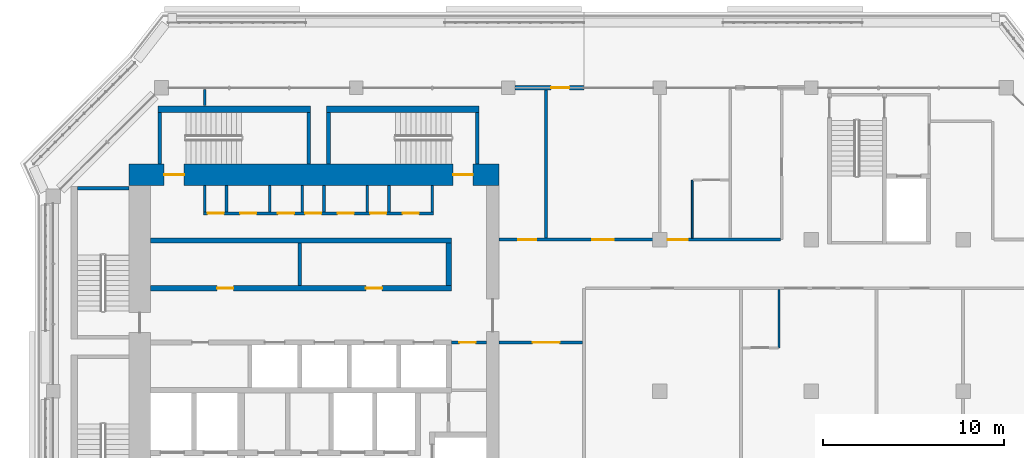
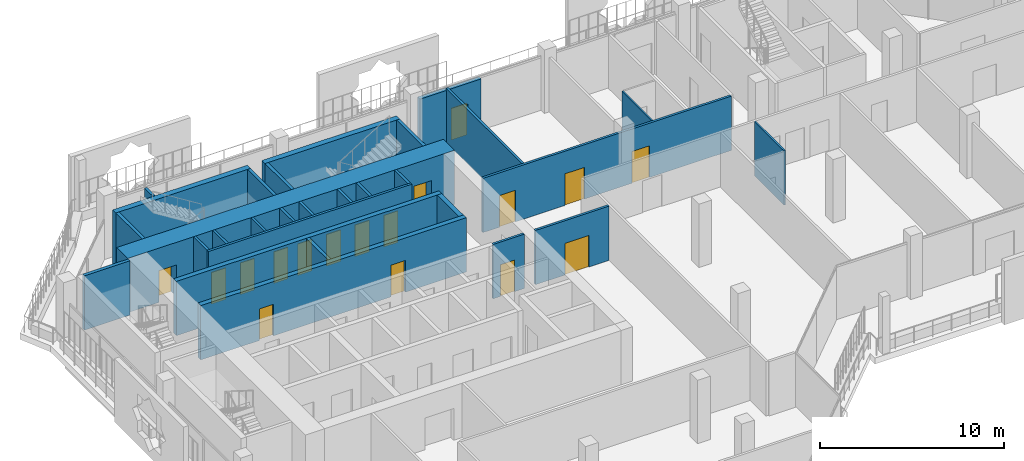
# One storey, part 12 of 21: 29 walls, 17 doors, 17 openings.
"""IFC4 building model written with IfcOpenShell, lengths in metres."""

from ifc_helpers import new_model, si_unit, direction, frame, frame_2d, origin, place, context, subcontext, project, spatial, rectangle, extrude, material, layer, layer_set, type_object, element, fill, save


model = new_model("IFC4")

# Units and contexts
model_context = context("Model", 3, precision=1e-05, world=origin(), true_north=direction((0.0, 1.0)))
body_context = subcontext(model_context, "Body", "Model", "MODEL_VIEW")
ifc_project = project(units=[si_unit("LENGTHUNIT", "METRE"), si_unit("AREAUNIT", "SQUARE_METRE"), si_unit("VOLUMEUNIT", "CUBIC_METRE"), si_unit("PLANEANGLEUNIT", "RADIAN"), si_unit("MASSUNIT", "GRAM", prefix="KILO")], contexts=[model_context])

# Site, building, storey
site_placement = place(None, origin())
site = spatial("IfcSite", under=ifc_project, at=site_placement, CompositionType="ELEMENT")
building_placement = place(site_placement, origin())
building = spatial("IfcBuilding", under=site, at=building_placement, Name="Kawkab Arch Medical Tower", CompositionType="ELEMENT")
storey_placement = place(building_placement, frame((0.0, 0.0, 302.800048828125)))
storey = spatial("IfcBuildingStorey", under=building, at=storey_placement, Name="L70", CompositionType="ELEMENT", Elevation=302.800048828125)

# Wall, openings, doors
ifc_material_1 = material(Name="Concrete C50/60", Category="concrete")
ifc_layer_1 = layer(ifc_material_1, 1.199951171875)
ifc_layer_set_1 = layer_set([ifc_layer_1], Name="Concrete C50/60")
wall_type_1 = type_object("IfcWallType", Name="Core ring wall 1200 C50/60", PredefinedType="SHEAR", material=ifc_layer_set_1)
wall_1_placement = place(storey_placement, frame((4.199951171875, -4.800048828125, 0.0), z_axis=(0.0, 0.0, 1.0), x_axis=(1.0, 0.0, 0.0)))
wall_1 = element("IfcWall", 1, at=wall_1_placement, inside=storey, type_object=wall_type_1, Name="L70 core wall", PredefinedType="SHEAR", context=body_context, shape_type="SweptSolid", body=[
    extrude(rectangle(XDim=20.5, YDim=1.199951171875, at=frame_2d((10.25, 0.0))), origin(), (0.0, 0.0, 1.0), 3.599853515625),
])
opening_1_placement = place(wall_1_placement, frame((1.949951171875, 0.0, 0.0)))
opening_1 = element("IfcOpeningElement", 2, at=opening_1_placement, cuts=wall_1, Name="Opening SD", PredefinedType="OPENING", context=body_context, shape_type="SweptSolid", body=[
    extrude(rectangle(XDim=1.10009765625, YDim=2.10009765625, at=frame_2d((0.550048828125, 1.050048828125))), frame((0.0, 0.60986328125, 0.0), z_axis=(0.0, -1.0, 0.0), x_axis=(1.0, 0.0, 0.0)), (0.0, 0.0, 1.0), 1.219970703125),
])
opening_2_placement = place(wall_1_placement, frame((17.949951171875, 0.0, 0.0)))
opening_2 = element("IfcOpeningElement", 3, at=opening_2_placement, cuts=wall_1, Name="Opening SD", PredefinedType="OPENING", context=body_context, shape_type="SweptSolid", body=[
    extrude(rectangle(XDim=1.10009765625, YDim=2.10009765625, at=frame_2d((0.550048828125, 1.050048828125))), frame((0.0, 0.60986328125, 0.0), z_axis=(0.0, -1.0, 0.0), x_axis=(1.0, 0.0, 0.0)), (0.0, 0.0, 1.0), 1.219970703125),
])
ifc_material_2 = material(Name="Hollow metal fire door leaf")
door_type_1 = type_object("IfcDoorType", Name="Exit stair door 1100", OperationType="SINGLE_SWING_LEFT", PredefinedType="DOOR", material=ifc_material_2)
door_1_placement = place(opening_1_placement, origin())
door_1 = element("IfcDoor", 4, at=door_1_placement, inside=storey, type_object=door_type_1, Name="L70 Exit stair ST3 door", OperationType="SINGLE_SWING_LEFT", OverallHeight=2.10009765625, OverallWidth=1.10009765625, PredefinedType="DOOR", context=body_context, shape_type="SweptSolid", body=[
    extrude(rectangle(XDim=1.10009765625, YDim=2.10009765625, at=frame_2d((0.550048828125, 1.050048828125))), frame((0.0, 0.02490234375, 0.0), z_axis=(0.0, -1.0, 0.0), x_axis=(1.0, 0.0, 0.0)), (0.0, 0.0, 1.0), 0.050048828125),
])
fill(opening_1, door_1)
door_2_placement = place(opening_2_placement, origin())
door_2 = element("IfcDoor", 5, at=door_2_placement, inside=storey, type_object=door_type_1, Name="L70 Exit stair ST4 door", OperationType="SINGLE_SWING_LEFT", OverallHeight=2.10009765625, OverallWidth=1.10009765625, PredefinedType="DOOR", context=body_context, shape_type="SweptSolid", body=[
    extrude(rectangle(XDim=1.10009765625, YDim=2.10009765625, at=frame_2d((0.550048828125, 1.050048828125))), frame((0.0, 0.02490234375, 0.0), z_axis=(0.0, -1.0, 0.0), x_axis=(1.0, 0.0, 0.0)), (0.0, 0.0, 1.0), 0.050048828125),
])
fill(opening_2, door_2)

# Wall, opening, door
ifc_material_3 = material(Name="Gypsum board on steel studs", Category="steel")
ifc_layer_2 = layer(ifc_material_3, 0.14990234375)
ifc_layer_set_2 = layer_set([ifc_layer_2], Name="Gypsum board on steel studs")
wall_type_2 = type_object("IfcWallType", Name="Core room partition 150", PredefinedType="PARTITIONING", material=ifc_layer_set_2)
wall_2_placement = place(storey_placement, frame((22.050048828125, -14.10009765625, 0.0), z_axis=(0.0, 0.0, 1.0), x_axis=(1.0, 0.0, 0.0)))
wall_2 = element("IfcWall", 6, at=wall_2_placement, inside=storey, type_object=wall_type_2, Name="L70 core room partition", PredefinedType="PARTITIONING", context=body_context, shape_type="SweptSolid", body=[
    extrude(rectangle(XDim=1.949951171875, YDim=0.14990234375, at=frame_2d((0.97509765625, 0.0))), origin(), (0.0, 0.0, 1.0), 3.599853515625),
])
opening_3_placement = place(wall_2_placement, frame((0.449951171875, 0.0, 0.0)))
opening_3 = element("IfcOpeningElement", 7, at=opening_3_placement, cuts=wall_2, Name="Opening RD", PredefinedType="OPENING", context=body_context, shape_type="SweptSolid", body=[
    extrude(rectangle(XDim=0.89990234375, YDim=2.10009765625, at=frame_2d((0.449951171875, 1.050048828125))), frame((0.0, 0.0849609375, 0.0), z_axis=(0.0, -1.0, 0.0), x_axis=(1.0, 0.0, 0.0)), (0.0, 0.0, 1.0), 0.169921875),
])
ifc_material_4 = material(Name="Hollow metal fire door leaf")
door_type_2 = type_object("IfcDoorType", Name="Core room door 900", OperationType="SINGLE_SWING_LEFT", PredefinedType="DOOR", material=ifc_material_4)
door_3_placement = place(opening_3_placement, origin())
door_3 = element("IfcDoor", 8, at=door_3_placement, inside=storey, type_object=door_type_2, Name="L70 Linen store door", OperationType="SINGLE_SWING_LEFT", OverallHeight=2.10009765625, OverallWidth=0.89990234375, PredefinedType="DOOR", context=body_context, shape_type="SweptSolid", body=[
    extrude(rectangle(XDim=0.89990234375, YDim=2.10009765625, at=frame_2d((0.449951171875, 1.050048828125))), frame((0.0, 0.02490234375, 0.0), z_axis=(0.0, -1.0, 0.0), x_axis=(1.0, 0.0, 0.0)), (0.0, 0.0, 1.0), 0.050048828125),
])
fill(opening_3, door_3)

# Wall, openings, doors
wall_3_placement = place(storey_placement, frame((8.324951171875, -6.949951171875, 0.0), z_axis=(0.0, 0.0, 1.0), x_axis=(1.0, 0.0, 0.0)))
wall_3 = element("IfcWall", 9, at=wall_3_placement, inside=storey, type_object=wall_type_2, Name="L70 core room partition", PredefinedType="PARTITIONING", context=body_context, shape_type="SweptSolid", body=[
    extrude(rectangle(XDim=12.75, YDim=0.14990234375, at=frame_2d((6.375, 0.0))), origin(), (0.0, 0.0, 1.0), 3.599853515625),
])
opening_4_placement = place(wall_3_placement, frame((0.22509765625, 0.0, 0.0)))
opening_4 = element("IfcOpeningElement", 10, at=opening_4_placement, cuts=wall_3, Name="Opening RD", PredefinedType="OPENING", context=body_context, shape_type="SweptSolid", body=[
    extrude(rectangle(XDim=0.89990234375, YDim=2.10009765625, at=frame_2d((0.449951171875, 1.050048828125))), frame((0.0, 0.0849609375, 0.0), z_axis=(0.0, -1.0, 0.0), x_axis=(1.0, 0.0, 0.0)), (0.0, 0.0, 1.0), 0.169921875),
])
opening_5_placement = place(wall_3_placement, frame((2.02490234375, 0.0, 0.0)))
opening_5 = element("IfcOpeningElement", 11, at=opening_5_placement, cuts=wall_3, Name="Opening RD", PredefinedType="OPENING", context=body_context, shape_type="SweptSolid", body=[
    extrude(rectangle(XDim=0.89990234375, YDim=2.10009765625, at=frame_2d((0.449951171875, 1.050048828125))), frame((0.0, 0.0849609375, 0.0), z_axis=(0.0, -1.0, 0.0), x_axis=(1.0, 0.0, 0.0)), (0.0, 0.0, 1.0), 0.169921875),
])
opening_6_placement = place(wall_3_placement, frame((4.125, 0.0, 0.0)))
opening_6 = element("IfcOpeningElement", 12, at=opening_6_placement, cuts=wall_3, Name="Opening RD", PredefinedType="OPENING", context=body_context, shape_type="SweptSolid", body=[
    extrude(rectangle(XDim=0.89990234375, YDim=2.10009765625, at=frame_2d((0.449951171875, 1.050048828125))), frame((0.0, 0.0849609375, 0.0), z_axis=(0.0, -1.0, 0.0), x_axis=(1.0, 0.0, 0.0)), (0.0, 0.0, 1.0), 0.169921875),
])
opening_7_placement = place(wall_3_placement, frame((5.625, 0.0, 0.0)))
opening_7 = element("IfcOpeningElement", 13, at=opening_7_placement, cuts=wall_3, Name="Opening RD", PredefinedType="OPENING", context=body_context, shape_type="SweptSolid", body=[
    extrude(rectangle(XDim=0.89990234375, YDim=2.10009765625, at=frame_2d((0.449951171875, 1.050048828125))), frame((0.0, 0.0849609375, 0.0), z_axis=(0.0, -1.0, 0.0), x_axis=(1.0, 0.0, 0.0)), (0.0, 0.0, 1.0), 0.169921875),
])
opening_8_placement = place(wall_3_placement, frame((7.425048828125, 0.0, 0.0)))
opening_8 = element("IfcOpeningElement", 14, at=opening_8_placement, cuts=wall_3, Name="Opening RD", PredefinedType="OPENING", context=body_context, shape_type="SweptSolid", body=[
    extrude(rectangle(XDim=0.89990234375, YDim=2.10009765625, at=frame_2d((0.449951171875, 1.050048828125))), frame((0.0, 0.0849609375, 0.0), z_axis=(0.0, -1.0, 0.0), x_axis=(1.0, 0.0, 0.0)), (0.0, 0.0, 1.0), 0.169921875),
])
opening_9_placement = place(wall_3_placement, frame((9.22509765625, 0.0, 0.0)))
opening_9 = element("IfcOpeningElement", 15, at=opening_9_placement, cuts=wall_3, Name="Opening RD", PredefinedType="OPENING", context=body_context, shape_type="SweptSolid", body=[
    extrude(rectangle(XDim=0.89990234375, YDim=2.10009765625, at=frame_2d((0.449951171875, 1.050048828125))), frame((0.0, 0.0849609375, 0.0), z_axis=(0.0, -1.0, 0.0), x_axis=(1.0, 0.0, 0.0)), (0.0, 0.0, 1.0), 0.169921875),
])
opening_10_placement = place(wall_3_placement, frame((11.02490234375, 0.0, 0.0)))
opening_10 = element("IfcOpeningElement", 16, at=opening_10_placement, cuts=wall_3, Name="Opening RD", PredefinedType="OPENING", context=body_context, shape_type="SweptSolid", body=[
    extrude(rectangle(XDim=0.89990234375, YDim=2.10009765625, at=frame_2d((0.449951171875, 1.050048828125))), frame((0.0, 0.0849609375, 0.0), z_axis=(0.0, -1.0, 0.0), x_axis=(1.0, 0.0, 0.0)), (0.0, 0.0, 1.0), 0.169921875),
])
door_4_placement = place(opening_4_placement, origin())
door_4 = element("IfcDoor", 17, at=door_4_placement, inside=storey, type_object=door_type_2, Name="L70 Electrical riser room door", OperationType="SINGLE_SWING_LEFT", OverallHeight=2.10009765625, OverallWidth=0.89990234375, PredefinedType="DOOR", context=body_context, shape_type="SweptSolid", body=[
    extrude(rectangle(XDim=0.89990234375, YDim=2.10009765625, at=frame_2d((0.449951171875, 1.050048828125))), frame((0.0, 0.02490234375, 0.0), z_axis=(0.0, -1.0, 0.0), x_axis=(1.0, 0.0, 0.0)), (0.0, 0.0, 1.0), 0.050048828125),
])
fill(opening_4, door_4)
door_5_placement = place(opening_5_placement, origin())
door_5 = element("IfcDoor", 18, at=door_5_placement, inside=storey, type_object=door_type_2, Name="L70 Comms room door", OperationType="SINGLE_SWING_LEFT", OverallHeight=2.10009765625, OverallWidth=0.89990234375, PredefinedType="DOOR", context=body_context, shape_type="SweptSolid", body=[
    extrude(rectangle(XDim=0.89990234375, YDim=2.10009765625, at=frame_2d((0.449951171875, 1.050048828125))), frame((0.0, 0.02490234375, 0.0), z_axis=(0.0, -1.0, 0.0), x_axis=(1.0, 0.0, 0.0)), (0.0, 0.0, 1.0), 0.050048828125),
])
fill(opening_5, door_5)
door_6_placement = place(opening_6_placement, origin())
door_6 = element("IfcDoor", 19, at=door_6_placement, inside=storey, type_object=door_type_2, Name="L70 Medical gas plant room door", OperationType="SINGLE_SWING_LEFT", OverallHeight=2.10009765625, OverallWidth=0.89990234375, PredefinedType="DOOR", context=body_context, shape_type="SweptSolid", body=[
    extrude(rectangle(XDim=0.89990234375, YDim=2.10009765625, at=frame_2d((0.449951171875, 1.050048828125))), frame((0.0, 0.02490234375, 0.0), z_axis=(0.0, -1.0, 0.0), x_axis=(1.0, 0.0, 0.0)), (0.0, 0.0, 1.0), 0.050048828125),
])
fill(opening_6, door_6)
door_7_placement = place(opening_7_placement, origin())
door_7 = element("IfcDoor", 20, at=door_7_placement, inside=storey, type_object=door_type_2, Name="L70 Sprinkler valve room door", OperationType="SINGLE_SWING_LEFT", OverallHeight=2.10009765625, OverallWidth=0.89990234375, PredefinedType="DOOR", context=body_context, shape_type="SweptSolid", body=[
    extrude(rectangle(XDim=0.89990234375, YDim=2.10009765625, at=frame_2d((0.449951171875, 1.050048828125))), frame((0.0, 0.02490234375, 0.0), z_axis=(0.0, -1.0, 0.0), x_axis=(1.0, 0.0, 0.0)), (0.0, 0.0, 1.0), 0.050048828125),
])
fill(opening_7, door_7)
door_8_placement = place(opening_8_placement, origin())
door_8 = element("IfcDoor", 21, at=door_8_placement, inside=storey, type_object=door_type_2, Name="L70 Housekeeping store door", OperationType="SINGLE_SWING_LEFT", OverallHeight=2.10009765625, OverallWidth=0.89990234375, PredefinedType="DOOR", context=body_context, shape_type="SweptSolid", body=[
    extrude(rectangle(XDim=0.89990234375, YDim=2.10009765625, at=frame_2d((0.449951171875, 1.050048828125))), frame((0.0, 0.02490234375, 0.0), z_axis=(0.0, -1.0, 0.0), x_axis=(1.0, 0.0, 0.0)), (0.0, 0.0, 1.0), 0.050048828125),
])
fill(opening_8, door_8)
door_9_placement = place(opening_9_placement, origin())
door_9 = element("IfcDoor", 22, at=door_9_placement, inside=storey, type_object=door_type_2, Name="L70 Electrical riser room door", OperationType="SINGLE_SWING_LEFT", OverallHeight=2.10009765625, OverallWidth=0.89990234375, PredefinedType="DOOR", context=body_context, shape_type="SweptSolid", body=[
    extrude(rectangle(XDim=0.89990234375, YDim=2.10009765625, at=frame_2d((0.449951171875, 1.050048828125))), frame((0.0, 0.02490234375, 0.0), z_axis=(0.0, -1.0, 0.0), x_axis=(1.0, 0.0, 0.0)), (0.0, 0.0, 1.0), 0.050048828125),
])
fill(opening_9, door_9)
door_10_placement = place(opening_10_placement, origin())
door_10 = element("IfcDoor", 23, at=door_10_placement, inside=storey, type_object=door_type_2, Name="L70 General store door", OperationType="SINGLE_SWING_LEFT", OverallHeight=2.10009765625, OverallWidth=0.89990234375, PredefinedType="DOOR", context=body_context, shape_type="SweptSolid", body=[
    extrude(rectangle(XDim=0.89990234375, YDim=2.10009765625, at=frame_2d((0.449951171875, 1.050048828125))), frame((0.0, 0.02490234375, 0.0), z_axis=(0.0, -1.0, 0.0), x_axis=(1.0, 0.0, 0.0)), (0.0, 0.0, 1.0), 0.050048828125),
])
fill(opening_10, door_10)

# Walls
for number, where, z_axis, x_axis, name in (
    (24, (8.39990234375, -6.875, 0.0), (0.0, 0.0, 1.0), (0.0, 1.0, 0.0), "L70 core room partition"),
    (25, (9.60009765625, -6.875, 0.0), (0.0, 0.0, 1.0), (0.0, 1.0, 0.0), "L70 core room partition"),
    (26, (12.0, -6.875, 0.0), (0.0, 0.0, 1.0), (0.0, 1.0, 0.0), "L70 core room partition"),
    (27, (13.800048828125, -6.875, 0.0), (0.0, 0.0, 1.0), (0.0, 1.0, 0.0), "L70 core room partition"),
    (28, (15.0, -6.875, 0.0), (0.0, 0.0, 1.0), (0.0, 1.0, 0.0), "L70 core room partition"),
    (29, (17.39990234375, -6.875, 0.0), (0.0, 0.0, 1.0), (0.0, 1.0, 0.0), "L70 core room partition"),
    (30, (18.60009765625, -6.875, 0.0), (0.0, 0.0, 1.0), (0.0, 1.0, 0.0), "L70 core room partition"),
    (31, (21.0, -6.875, 0.0), (0.0, 0.0, 1.0), (0.0, 1.0, 0.0), "L70 core room partition"),
):
    element("IfcWall", number, at=place(storey_placement, frame(where, z_axis=z_axis, x_axis=x_axis)), inside=storey, type_object=wall_type_2, Name=name, PredefinedType="PARTITIONING", context=body_context, shape_type="SweptSolid", body=[
        extrude(rectangle(XDim=1.47509765625, YDim=0.14990234375, at=frame_2d((0.737548828125, 0.0))), origin(), (0.0, 0.0, 1.0), 3.599853515625),
    ])
ifc_material_5 = material(Name="Concrete C60/75", Category="concrete")
ifc_layer_3 = layer(ifc_material_5, 0.300048828125)
ifc_layer_set_3 = layer_set([ifc_layer_3], Name="Concrete C60/75")
wall_type_3 = type_object("IfcWallType", Name="Core shear wall 300 C60/75", PredefinedType="SHEAR", material=ifc_layer_set_3)
wall_4_placement = place(storey_placement, frame((5.39990234375, -8.449951171875, 0.0), z_axis=(0.0, 0.0, 1.0), x_axis=(1.0, 0.0, 0.0)))
element("IfcWall", 32, at=wall_4_placement, inside=storey, type_object=wall_type_3, Name="L70 core shear wall", PredefinedType="SHEAR", context=body_context, shape_type="SweptSolid", body=[
    extrude(rectangle(XDim=16.650146484375, YDim=0.300048828125, at=frame_2d((8.3251953125, 0.0))), origin(), (0.0, 0.0, 1.0), 3.599853515625),
])

# Wall, openings, doors
wall_5_placement = place(storey_placement, frame((5.39990234375, -11.10009765625, 0.0), z_axis=(0.0, 0.0, 1.0), x_axis=(1.0, 0.0, 0.0)))
wall_5 = element("IfcWall", 33, at=wall_5_placement, inside=storey, type_object=wall_type_3, Name="L70 core shear wall", PredefinedType="SHEAR", context=body_context, shape_type="SweptSolid", body=[
    extrude(rectangle(XDim=16.650146484375, YDim=0.300048828125, at=frame_2d((8.3251953125, 0.0))), origin(), (0.0, 0.0, 1.0), 3.599853515625),
])
opening_11_placement = place(wall_5_placement, frame((3.675048828125, 0.0, 0.0)))
opening_11 = element("IfcOpeningElement", 34, at=opening_11_placement, cuts=wall_5, Name="Opening RD", PredefinedType="OPENING", context=body_context, shape_type="SweptSolid", body=[
    extrude(rectangle(XDim=0.89990234375, YDim=2.10009765625, at=frame_2d((0.449951171875, 1.050048828125))), frame((0.0, 0.159912109375, 0.0), z_axis=(0.0, -1.0, 0.0), x_axis=(1.0, 0.0, 0.0)), (0.0, 0.0, 1.0), 0.320068359375),
])
opening_12_placement = place(wall_5_placement, frame((11.925048828125, 0.0, 0.0)))
opening_12 = element("IfcOpeningElement", 35, at=opening_12_placement, cuts=wall_5, Name="Opening RD", PredefinedType="OPENING", context=body_context, shape_type="SweptSolid", body=[
    extrude(rectangle(XDim=0.89990234375, YDim=2.10009765625, at=frame_2d((0.449951171875, 1.050048828125))), frame((0.0, 0.159912109375, 0.0), z_axis=(0.0, -1.0, 0.0), x_axis=(1.0, 0.0, 0.0)), (0.0, 0.0, 1.0), 0.320068359375),
])
door_11_placement = place(opening_11_placement, origin())
door_11 = element("IfcDoor", 36, at=door_11_placement, inside=storey, type_object=door_type_2, Name="L70 Equipment store door", OperationType="SINGLE_SWING_LEFT", OverallHeight=2.10009765625, OverallWidth=0.89990234375, PredefinedType="DOOR", context=body_context, shape_type="SweptSolid", body=[
    extrude(rectangle(XDim=0.89990234375, YDim=2.10009765625, at=frame_2d((0.449951171875, 1.050048828125))), frame((0.0, 0.02490234375, 0.0), z_axis=(0.0, -1.0, 0.0), x_axis=(1.0, 0.0, 0.0)), (0.0, 0.0, 1.0), 0.050048828125),
])
fill(opening_11, door_11)
door_12_placement = place(opening_12_placement, origin())
door_12 = element("IfcDoor", 37, at=door_12_placement, inside=storey, type_object=door_type_2, Name="L70 Clean utility room door", OperationType="SINGLE_SWING_LEFT", OverallHeight=2.10009765625, OverallWidth=0.89990234375, PredefinedType="DOOR", context=body_context, shape_type="SweptSolid", body=[
    extrude(rectangle(XDim=0.89990234375, YDim=2.10009765625, at=frame_2d((0.449951171875, 1.050048828125))), frame((0.0, 0.02490234375, 0.0), z_axis=(0.0, -1.0, 0.0), x_axis=(1.0, 0.0, 0.0)), (0.0, 0.0, 1.0), 0.050048828125),
])
fill(opening_12, door_12)

# Wall
wall_6_placement = place(storey_placement, frame((21.89990234375, -10.949951171875, 0.0), z_axis=(0.0, 0.0, 1.0), x_axis=(0.0, 1.0, 0.0)))
element("IfcWall", 38, at=wall_6_placement, inside=storey, type_object=wall_type_3, Name="L70 core shear wall", PredefinedType="SHEAR", context=body_context, shape_type="SweptSolid", body=[
    extrude(rectangle(XDim=2.349853515625, YDim=0.300048828125, at=frame_2d((1.1748046875, 0.0))), origin(), (0.0, 0.0, 1.0), 3.599853515625),
])

# Wall, opening, door
ifc_material_6 = material(Name="Bronze clad insulated wall panel")
ifc_layer_4 = layer(ifc_material_6, 0.25)
ifc_layer_set_4 = layer_set([ifc_layer_4], Name="Bronze clad insulated wall panel")
wall_type_4 = type_object("IfcWallType", Name="External wall bay 250", PredefinedType="SOLIDWALL", material=ifc_layer_set_4)
wall_7_placement = place(storey_placement, frame((29.39990234375, 0.0, 0.0), z_axis=(0.0, 0.0, 1.0), x_axis=(-1.0, 0.0, 0.0)))
wall_7 = element("IfcWall", 39, at=wall_7_placement, inside=storey, type_object=wall_type_4, Name="External wall bay L70.R15.3.2", PredefinedType="SOLIDWALL", context=body_context, shape_type="SweptSolid", body=[
    extrude(rectangle(XDim=3.824951171875, YDim=0.25, at=frame_2d((1.91259765625, 0.0))), origin(), (0.0, 0.0, 1.0), 3.47998046875),
])
opening_13_placement = place(wall_7_placement, frame((0.8125, 0.0, 0.0)))
opening_13 = element("IfcOpeningElement", 40, at=opening_13_placement, cuts=wall_7, Name="Opening W70-702", PredefinedType="OPENING", context=body_context, shape_type="SweptSolid", body=[
    extrude(rectangle(XDim=1.0, YDim=2.10009765625, at=frame_2d((0.5, 1.050048828125))), frame((0.0, 0.135009765625, 0.0), z_axis=(0.0, -1.0, 0.0), x_axis=(1.0, 0.0, 0.0)), (0.0, 0.0, 1.0), 0.27001953125),
])
ifc_material_7 = material(Name="Bronze anodised aluminium door with tinted glass", Category="aluminium")
door_type_3 = type_object("IfcDoorType", Name="Single external door 1000 x 2100", OperationType="SINGLE_SWING_LEFT", PredefinedType="DOOR", material=ifc_material_7)
door_13_placement = place(opening_13_placement, origin())
door_13 = element("IfcDoor", 41, at=door_13_placement, inside=storey, type_object=door_type_3, Name="External door L70.R15.3.2", OperationType="SINGLE_SWING_LEFT", OverallHeight=2.10009765625, OverallWidth=1.0, PredefinedType="DOOR", context=body_context, shape_type="SweptSolid", body=[
    extrude(rectangle(XDim=1.0, YDim=2.10009765625, at=frame_2d((0.5, 1.050048828125))), frame((0.0, 0.02490234375, 0.0), z_axis=(0.0, -1.0, 0.0), x_axis=(1.0, 0.0, 0.0)), (0.0, 0.0, 1.0), 0.050048828125),
])
fill(opening_13, door_13)

# Walls
ifc_material_8 = material(Name="Dense concrete blockwork", Category="masonry")
ifc_layer_5 = layer(ifc_material_8, 0.199951171875)
ifc_layer_set_5 = layer_set([ifc_layer_5], Name="Dense concrete blockwork")
wall_type_5 = type_object("IfcWallType", Name="Lift shaft partition 200", PredefinedType="PARTITIONING", material=ifc_layer_set_5)
wall_8_placement = place(storey_placement, frame((13.64990234375, -10.949951171875, 0.0), z_axis=(0.0, 0.0, 1.0), x_axis=(0.0, 1.0, 0.0)))
element("IfcWall", 42, at=wall_8_placement, inside=storey, type_object=wall_type_5, Name="L70 lift shaft partition", PredefinedType="PARTITIONING", context=body_context, shape_type="SweptSolid", body=[
    extrude(rectangle(XDim=2.349853515625, YDim=0.199951171875, at=frame_2d((1.1748046875, 0.0))), origin(), (0.0, 0.0, 1.0), 3.599853515625),
])
ifc_material_9 = material(Name="Gypsum board partition on steel studs", Category="steel")
ifc_layer_6 = layer(ifc_material_9, 0.10009765625)
ifc_layer_set_6 = layer_set([ifc_layer_6], Name="Gypsum board partition on steel studs")
wall_type_6 = type_object("IfcWallType", Name="Partition 100", PredefinedType="PARTITIONING", material=ifc_layer_set_6)
for number, where, z_axis, x_axis, name in (
    (43, (35.39990234375, -8.324951171875, 0.0), (0.0, 0.0, 1.0), (0.0, 1.0, 0.0), "Partition 100 w003"),
    (44, (40.199951171875, -14.39990234375, 0.0), (0.0, 0.0, 1.0), (0.0, 1.0, 0.0), "Partition 100 w004"),
):
    element("IfcWall", number, at=place(storey_placement, frame(where, z_axis=z_axis, x_axis=x_axis)), inside=storey, type_object=wall_type_6, Name=name, PredefinedType="PARTITIONING", context=body_context, shape_type="SweptSolid", body=[
        extrude(rectangle(XDim=3.224853515625, YDim=0.10009765625, at=frame_2d((1.6123046875, 0.0))), origin(), (0.0, 0.0, 1.0), 3.599853515625),
    ])

# Wall, opening, door
ifc_material_10 = material(Name="Gypsum board partition on steel studs, mineral wool", Category="steel")
ifc_layer_7 = layer(ifc_material_10, 0.14990234375)
ifc_layer_set_7 = layer_set([ifc_layer_7], Name="Gypsum board partition on steel studs, mineral wool")
wall_type_7 = type_object("IfcWallType", Name="Partition 150", PredefinedType="PARTITIONING", material=ifc_layer_set_7)
wall_9_placement = place(storey_placement, frame((24.699951171875, -14.10009765625, 0.0), z_axis=(0.0, 0.0, 1.0), x_axis=(1.0, 0.0, 0.0)))
wall_9 = element("IfcWall", 45, at=wall_9_placement, inside=storey, type_object=wall_type_7, Name="Partition 150 w009", PredefinedType="PARTITIONING", context=body_context, shape_type="SweptSolid", body=[
    extrude(rectangle(XDim=4.625, YDim=0.14990234375, at=frame_2d((2.3125, 0.0))), origin(), (0.0, 0.0, 1.0), 3.599853515625),
])
opening_14_placement = place(wall_9_placement, frame((1.85009765625, 0.0, 0.0)))
opening_14 = element("IfcOpeningElement", 46, at=opening_14_placement, cuts=wall_9, Name="Opening W70-001", PredefinedType="OPENING", context=body_context, shape_type="SweptSolid", body=[
    extrude(rectangle(XDim=1.5, YDim=2.10009765625, at=frame_2d((0.75, 1.050048828125))), frame((0.0, 0.0849609375, 0.0), z_axis=(0.0, -1.0, 0.0), x_axis=(1.0, 0.0, 0.0)), (0.0, 0.0, 1.0), 0.169921875),
])
ifc_material_11 = material(Name="Hollow metal door leaf")
door_type_4 = type_object("IfcDoorType", Name="Double door 1500x2100 FD30S", OperationType="NOTDEFINED", PredefinedType="DOOR", material=ifc_material_11)
door_14_placement = place(opening_14_placement, origin())
door_14 = element("IfcDoor", 47, at=door_14_placement, inside=storey, type_object=door_type_4, Name="Door W70-001", OperationType="DOUBLE_DOOR_SINGLE_SWING", OverallHeight=2.10009765625, OverallWidth=1.5, PredefinedType="DOOR", context=body_context, shape_type="SweptSolid", body=[
    extrude(rectangle(XDim=1.5, YDim=2.10009765625, at=frame_2d((0.75, 1.050048828125))), frame((0.0, 0.02490234375, 0.0), z_axis=(0.0, -1.0, 0.0), x_axis=(1.0, 0.0, 0.0)), (0.0, 0.0, 1.0), 0.050048828125),
])
fill(opening_14, door_14)

# Wall, openings, doors
wall_10_placement = place(storey_placement, frame((24.699951171875, -8.39990234375, 0.0), z_axis=(0.0, 0.0, 1.0), x_axis=(1.0, 0.0, 0.0)))
wall_10 = element("IfcWall", 48, at=wall_10_placement, inside=storey, type_object=wall_type_7, Name="Partition 150 w011", PredefinedType="PARTITIONING", context=body_context, shape_type="SweptSolid", body=[
    extrude(rectangle(XDim=15.58203125, YDim=0.14990234375, at=frame_2d((7.791015625, 0.0))), origin(), (0.0, 0.0, 1.0), 3.599853515625),
])
opening_15_placement = place(wall_10_placement, frame((9.35009765625, 0.0, 0.0)))
opening_15 = element("IfcOpeningElement", 49, at=opening_15_placement, cuts=wall_10, Name="Opening W70-010", PredefinedType="OPENING", context=body_context, shape_type="SweptSolid", body=[
    extrude(rectangle(XDim=1.10009765625, YDim=2.10009765625, at=frame_2d((0.550048828125, 1.050048828125))), frame((0.0, 0.0849609375, 0.0), z_axis=(0.0, -1.0, 0.0), x_axis=(1.0, 0.0, 0.0)), (0.0, 0.0, 1.0), 0.169921875),
])
opening_16_placement = place(wall_10_placement, frame((1.050048828125, 0.0, 0.0)))
opening_16 = element("IfcOpeningElement", 50, at=opening_16_placement, cuts=wall_10, Name="Opening W70-007", PredefinedType="OPENING", context=body_context, shape_type="SweptSolid", body=[
    extrude(rectangle(XDim=1.0, YDim=2.10009765625, at=frame_2d((0.5, 1.050048828125))), frame((0.0, 0.0849609375, 0.0), z_axis=(0.0, -1.0, 0.0), x_axis=(1.0, 0.0, 0.0)), (0.0, 0.0, 1.0), 0.169921875),
])
opening_17_placement = place(wall_10_placement, frame((5.14990234375, 0.0, 0.0)))
opening_17 = element("IfcOpeningElement", 51, at=opening_17_placement, cuts=wall_10, Name="Opening W70-017", PredefinedType="OPENING", context=body_context, shape_type="SweptSolid", body=[
    extrude(rectangle(XDim=1.199951171875, YDim=2.10009765625, at=frame_2d((0.60009765625, 1.050048828125))), frame((0.0, 0.0849609375, 0.0), z_axis=(0.0, -1.0, 0.0), x_axis=(1.0, 0.0, 0.0)), (0.0, 0.0, 1.0), 0.169921875),
])
ifc_material_12 = material(Name="Timber door leaf", Category="wood")
door_type_5 = type_object("IfcDoorType", Name="Single door 1000x2100", OperationType="NOTDEFINED", PredefinedType="DOOR", material=ifc_material_12)
door_15_placement = place(opening_16_placement, origin())
door_15 = element("IfcDoor", 52, at=door_15_placement, inside=storey, type_object=door_type_5, Name="Door W70-007", OperationType="SINGLE_SWING_LEFT", OverallHeight=2.10009765625, OverallWidth=1.0, PredefinedType="DOOR", context=body_context, shape_type="SweptSolid", body=[
    extrude(rectangle(XDim=1.0, YDim=2.10009765625, at=frame_2d((0.5, 1.050048828125))), frame((0.0, 0.02490234375, 0.0), z_axis=(0.0, -1.0, 0.0), x_axis=(1.0, 0.0, 0.0)), (0.0, 0.0, 1.0), 0.050048828125),
])
fill(opening_16, door_15)
ifc_material_13 = material(Name="Hollow metal door leaf")
door_type_6 = type_object("IfcDoorType", Name="Single door 1100x2100 FD30S", OperationType="NOTDEFINED", PredefinedType="DOOR", material=ifc_material_13)
door_16_placement = place(opening_15_placement, origin())
door_16 = element("IfcDoor", 53, at=door_16_placement, inside=storey, type_object=door_type_6, Name="Door W70-010", OperationType="SINGLE_SWING_RIGHT", OverallHeight=2.10009765625, OverallWidth=1.10009765625, PredefinedType="DOOR", context=body_context, shape_type="SweptSolid", body=[
    extrude(rectangle(XDim=1.10009765625, YDim=2.10009765625, at=frame_2d((0.550048828125, 1.050048828125))), frame((0.0, 0.02490234375, 0.0), z_axis=(0.0, -1.0, 0.0), x_axis=(1.0, 0.0, 0.0)), (0.0, 0.0, 1.0), 0.050048828125),
])
fill(opening_15, door_16)
ifc_material_14 = material(Name="Hollow metal door leaf")
door_type_7 = type_object("IfcDoorType", Name="Single door 1200x2100 FD30S", OperationType="NOTDEFINED", PredefinedType="DOOR", material=ifc_material_14)
door_17_placement = place(opening_17_placement, origin())
door_17 = element("IfcDoor", 54, at=door_17_placement, inside=storey, type_object=door_type_7, Name="Door W70-017", OperationType="SINGLE_SWING_LEFT", OverallHeight=2.10009765625, OverallWidth=1.199951171875, PredefinedType="DOOR", context=body_context, shape_type="SweptSolid", body=[
    extrude(rectangle(XDim=1.199951171875, YDim=2.10009765625, at=frame_2d((0.60009765625, 1.050048828125))), frame((0.0, 0.02490234375, 0.0), z_axis=(0.0, -1.0, 0.0), x_axis=(1.0, 0.0, 0.0)), (0.0, 0.0, 1.0), 0.050048828125),
])
fill(opening_17, door_17)

# Walls
wall_11_placement = place(storey_placement, frame((8.39990234375, -0.969970703125, 0.0), z_axis=(0.0, 0.0, 1.0), x_axis=(0.0, 1.0, 0.0)))
element("IfcWall", 55, at=wall_11_placement, inside=storey, type_object=wall_type_7, Name="Partition 150 w015", PredefinedType="PARTITIONING", context=body_context, shape_type="SweptSolid", body=[
    extrude(rectangle(XDim=0.889892578125, YDim=0.14990234375, at=frame_2d((0.44482421875, 0.0))), origin(), (0.0, 0.0, 1.0), 3.599853515625),
])
wall_12_placement = place(storey_placement, frame((27.300048828125, -8.324951171875, 0.0), z_axis=(0.0, 0.0, 1.0), x_axis=(0.0, 1.0, 0.0)))
element("IfcWall", 56, at=wall_12_placement, inside=storey, type_object=wall_type_7, Name="Partition 150 w018", PredefinedType="PARTITIONING", context=body_context, shape_type="SweptSolid", body=[
    extrude(rectangle(XDim=8.244873046875, YDim=0.14990234375, at=frame_2d((4.12255859375, 0.0))), origin(), (0.0, 0.0, 1.0), 3.599853515625),
])
ifc_material_15 = material(Name="Concrete C50/60", Category="concrete")
ifc_layer_8 = layer(ifc_material_15, 0.199951171875)
ifc_layer_set_8 = layer_set([ifc_layer_8], Name="Concrete C50/60")
wall_type_8 = type_object("IfcWallType", Name="Stair enclosure wall 200 C50/60", PredefinedType="SHEAR", material=ifc_layer_set_8)
for number, where, z_axis, x_axis, name in (
    (57, (1.35009765625, -5.550048828125, 0.0), (0.0, 0.0, 1.0), (1.0, 0.0, 0.0), "L70 stair enclosure wall"),
    (58, (5.89990234375, -4.199951171875, 0.0), (0.0, 0.0, 1.0), (0.0, 1.0, 0.0), "L70 stair enclosure wall"),
    (59, (14.14990234375, -4.199951171875, 0.0), (0.0, 0.0, 1.0), (0.0, 1.0, 0.0), "L70 stair enclosure wall"),
    (60, (15.25, -4.199951171875, 0.0), (0.0, 0.0, 1.0), (0.0, 1.0, 0.0), "L70 stair enclosure wall"),
    (61, (23.5, -4.199951171875, 0.0), (0.0, 0.0, 1.0), (0.0, 1.0, 0.0), "L70 stair enclosure wall"),
):
    element("IfcWall", number, at=place(storey_placement, frame(where, z_axis=z_axis, x_axis=x_axis)), inside=storey, type_object=wall_type_8, Name=name, PredefinedType="SHEAR", context=body_context, shape_type="SweptSolid", body=[
        extrude(rectangle(XDim=2.849853515625, YDim=0.199951171875, at=frame_2d((1.4248046875, 0.0))), origin(), (0.0, 0.0, 1.0), 3.599853515625),
    ])
ifc_material_16 = material(Name="Concrete C50/60", Category="concrete")
ifc_layer_9 = layer(ifc_material_16, 0.35009765625)
ifc_layer_set_9 = layer_set([ifc_layer_9], Name="Concrete C50/60")
wall_type_9 = type_object("IfcWallType", Name="Stair enclosure wall 350 C50/60", PredefinedType="SHEAR", material=ifc_layer_set_9)
wall_13_placement = place(storey_placement, frame((5.800048828125, -1.175048828125, 0.0), z_axis=(0.0, 0.0, 1.0), x_axis=(1.0, 0.0, 0.0)))
element("IfcWall", 62, at=wall_13_placement, inside=storey, type_object=wall_type_9, Name="L70 stair enclosure wall", PredefinedType="SHEAR", context=body_context, shape_type="SweptSolid", body=[
    extrude(rectangle(XDim=8.449951171875, YDim=0.35009765625, at=frame_2d((4.22509765625, 0.0))), origin(), (0.0, 0.0, 1.0), 3.599853515625),
])
wall_14_placement = place(storey_placement, frame((15.14990234375, -1.175048828125, 0.0), z_axis=(0.0, 0.0, 1.0), x_axis=(1.0, 0.0, 0.0)))
element("IfcWall", 63, at=wall_14_placement, inside=storey, type_object=wall_type_9, Name="L70 stair enclosure wall", PredefinedType="SHEAR", context=body_context, shape_type="SweptSolid", body=[
    extrude(rectangle(XDim=8.4501953125, YDim=0.35009765625, at=frame_2d((4.22509765625, 0.0))), origin(), (0.0, 0.0, 1.0), 3.599853515625),
])

save(model, "model.ifc")
